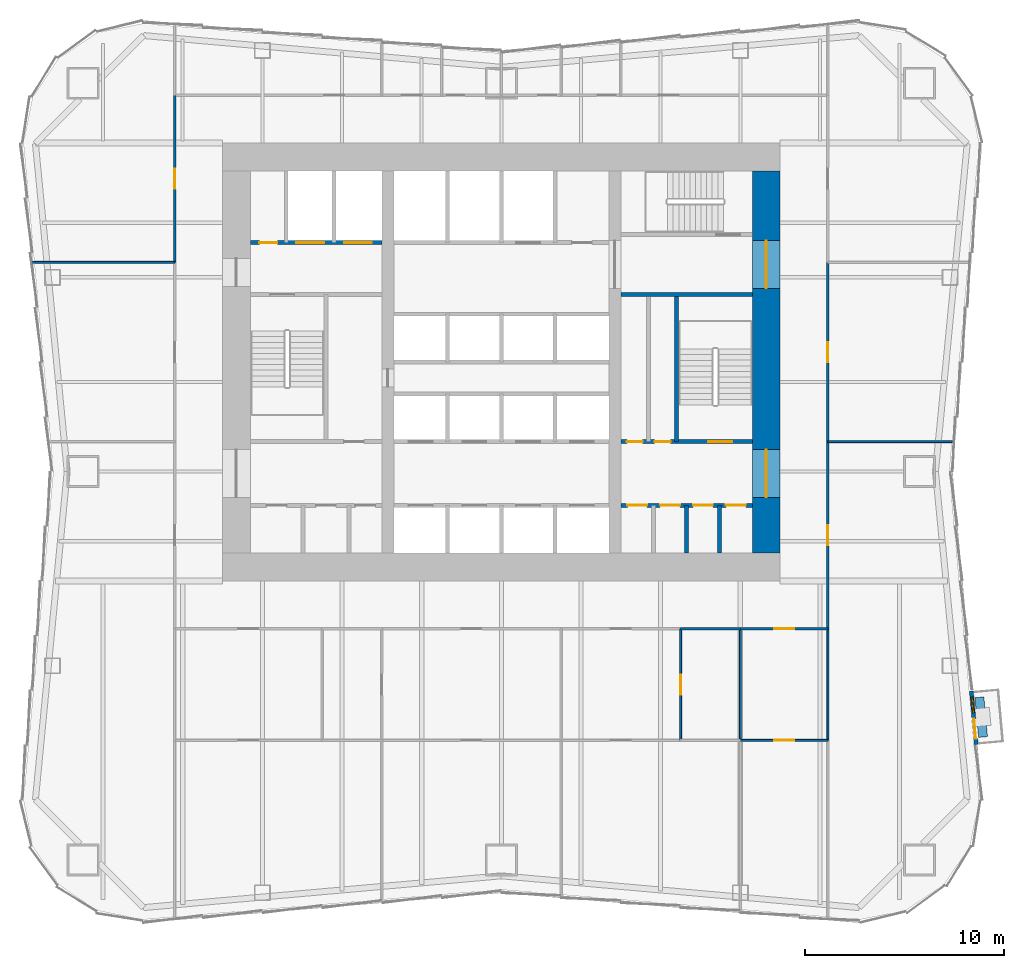
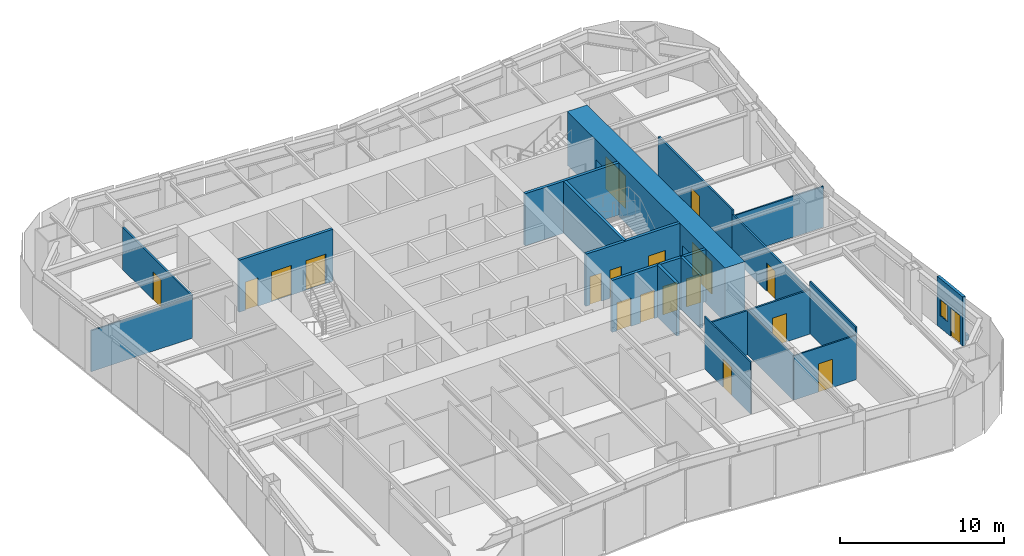
# One storey, part 5 of 8: 21 walls, 19 doors, 1 window, 20 openings.
"""IFC4 building model written with IfcOpenShell, lengths in metres."""

from ifc_helpers import new_model, si_unit, direction, frame, frame_2d, origin, place, context, subcontext, project, spatial, rectangle, extrude, material, layer, layer_set, type_object, element, fill, save


model = new_model("IFC4")

# Units and contexts
model_context = context("Model", 3, precision=1e-05, world=origin(), true_north=direction((0.0, 1.0)))
body_context = subcontext(model_context, "Body", "Model", "MODEL_VIEW")
ifc_project = project(units=[si_unit("LENGTHUNIT", "METRE"), si_unit("AREAUNIT", "SQUARE_METRE"), si_unit("VOLUMEUNIT", "CUBIC_METRE"), si_unit("PLANEANGLEUNIT", "RADIAN"), si_unit("MASSUNIT", "GRAM", prefix="KILO")], contexts=[model_context])

# Site, building, storey
site_placement = place(None, origin())
site = spatial("IfcSite", under=ifc_project, at=site_placement, CompositionType="ELEMENT")
building_placement = place(site_placement, origin())
building = spatial("IfcBuilding", under=site, at=building_placement, Name="Verdant Reach Tower", CompositionType="ELEMENT")
storey_placement = place(building_placement, frame((0.0, 0.0, 42.0)))
storey = spatial("IfcBuildingStorey", under=building, at=storey_placement, Name="L09", CompositionType="ELEMENT", Elevation=42.0)

# Wall, openings, doors
ifc_material_1 = material(Name="Gypsum board on steel studs", Category="steel")
ifc_layer_1 = layer(ifc_material_1, 0.199951171875)
ifc_layer_set_1 = layer_set([ifc_layer_1], Name="CO-WALL-ROOM")
wall_type_1 = type_object("IfcWallType", Name="CO-WALL-ROOM", PredefinedType="PARTITIONING", material=ifc_layer_set_1)
wall_1_placement = place(storey_placement, frame((6.0, 20.800048828125, 0.0), z_axis=(0.0, 0.0, 1.0), x_axis=(1.0, 0.0, 0.0)))
wall_1 = element("IfcWall", 1, at=wall_1_placement, inside=storey, type_object=wall_type_1, Name="Core partition, L09", PredefinedType="PARTITIONING", context=body_context, shape_type="SweptSolid", body=[
    extrude(rectangle(XDim=6.60009765625, YDim=0.199951171875, at=frame_2d((3.300048828125, 0.0))), origin(), (0.0, 0.0, 1.0), 3.8701171875),
])
opening_1_placement = place(wall_1_placement, frame((0.324951171875, 0.0, 0.0)))
opening_1 = element("IfcOpeningElement", 2, at=opening_1_placement, cuts=wall_1, Name="Opening CD", PredefinedType="OPENING", context=body_context, shape_type="SweptSolid", body=[
    extrude(rectangle(XDim=1.0, YDim=2.10009765625, at=frame_2d((0.5, 1.050048828125))), frame((0.0, 0.10986328125, 0.0), z_axis=(0.0, -1.0, 0.0), x_axis=(1.0, 0.0, 0.0)), (0.0, 0.0, 1.0), 0.219970703125),
])
opening_2_placement = place(wall_1_placement, frame((1.97509765625, 0.0, 0.0)))
opening_2 = element("IfcOpeningElement", 3, at=opening_2_placement, cuts=wall_1, Name="Opening CD", PredefinedType="OPENING", context=body_context, shape_type="SweptSolid", body=[
    extrude(rectangle(XDim=1.0, YDim=2.10009765625, at=frame_2d((0.5, 1.050048828125))), frame((0.0, 0.10986328125, 0.0), z_axis=(0.0, -1.0, 0.0), x_axis=(1.0, 0.0, 0.0)), (0.0, 0.0, 1.0), 0.219970703125),
])
opening_3_placement = place(wall_1_placement, frame((3.625, 0.0, 0.0)))
opening_3 = element("IfcOpeningElement", 4, at=opening_3_placement, cuts=wall_1, Name="Opening CD", PredefinedType="OPENING", context=body_context, shape_type="SweptSolid", body=[
    extrude(rectangle(XDim=1.0, YDim=2.10009765625, at=frame_2d((0.5, 1.050048828125))), frame((0.0, 0.10986328125, 0.0), z_axis=(0.0, -1.0, 0.0), x_axis=(1.0, 0.0, 0.0)), (0.0, 0.0, 1.0), 0.219970703125),
])
opening_4_placement = place(wall_1_placement, frame((5.27490234375, 0.0, 0.0)))
opening_4 = element("IfcOpeningElement", 5, at=opening_4_placement, cuts=wall_1, Name="Opening CD", PredefinedType="OPENING", context=body_context, shape_type="SweptSolid", body=[
    extrude(rectangle(XDim=1.0, YDim=2.10009765625, at=frame_2d((0.5, 1.050048828125))), frame((0.0, 0.10986328125, 0.0), z_axis=(0.0, -1.0, 0.0), x_axis=(1.0, 0.0, 0.0)), (0.0, 0.0, 1.0), 0.219970703125),
])
ifc_material_2 = material(Name="Timber", Category="wood")
door_type_1 = type_object("IfcDoorType", Name="CO-DOOR-ROOM", OperationType="NOTDEFINED", PredefinedType="DOOR", material=ifc_material_2)
door_1_placement = place(opening_1_placement, origin())
door_1 = element("IfcDoor", 6, at=door_1_placement, inside=storey, type_object=door_type_1, Name="Core room door, L09", OperationType="SINGLE_SWING_LEFT", OverallHeight=2.10009765625, OverallWidth=1.0, PredefinedType="DOOR", context=body_context, shape_type="SweptSolid", body=[
    extrude(rectangle(XDim=1.0, YDim=2.10009765625, at=frame_2d((0.5, 1.050048828125))), frame((0.0, 0.02490234375, 0.0), z_axis=(0.0, -1.0, 0.0), x_axis=(1.0, 0.0, 0.0)), (0.0, 0.0, 1.0), 0.050048828125),
])
fill(opening_1, door_1)
door_2_placement = place(opening_2_placement, origin())
door_2 = element("IfcDoor", 7, at=door_2_placement, inside=storey, type_object=door_type_1, Name="Core room door, L09", OperationType="SINGLE_SWING_LEFT", OverallHeight=2.10009765625, OverallWidth=1.0, PredefinedType="DOOR", context=body_context, shape_type="SweptSolid", body=[
    extrude(rectangle(XDim=1.0, YDim=2.10009765625, at=frame_2d((0.5, 1.050048828125))), frame((0.0, 0.02490234375, 0.0), z_axis=(0.0, -1.0, 0.0), x_axis=(1.0, 0.0, 0.0)), (0.0, 0.0, 1.0), 0.050048828125),
])
fill(opening_2, door_2)
door_3_placement = place(opening_3_placement, origin())
door_3 = element("IfcDoor", 8, at=door_3_placement, inside=storey, type_object=door_type_1, Name="Core room door, L09", OperationType="SINGLE_SWING_RIGHT", OverallHeight=2.10009765625, OverallWidth=1.0, PredefinedType="DOOR", context=body_context, shape_type="SweptSolid", body=[
    extrude(rectangle(XDim=1.0, YDim=2.10009765625, at=frame_2d((0.5, 1.050048828125))), frame((0.0, 0.02490234375, 0.0), z_axis=(0.0, -1.0, 0.0), x_axis=(1.0, 0.0, 0.0)), (0.0, 0.0, 1.0), 0.050048828125),
])
fill(opening_3, door_3)
door_4_placement = place(opening_4_placement, origin())
door_4 = element("IfcDoor", 9, at=door_4_placement, inside=storey, type_object=door_type_1, Name="Core room door, L09", OperationType="SINGLE_SWING_RIGHT", OverallHeight=2.10009765625, OverallWidth=1.0, PredefinedType="DOOR", context=body_context, shape_type="SweptSolid", body=[
    extrude(rectangle(XDim=1.0, YDim=2.10009765625, at=frame_2d((0.5, 1.050048828125))), frame((0.0, 0.02490234375, 0.0), z_axis=(0.0, -1.0, 0.0), x_axis=(1.0, 0.0, 0.0)), (0.0, 0.0, 1.0), 0.050048828125),
])
fill(opening_4, door_4)

# Walls
for number, where, z_axis, x_axis, name in (
    (10, (9.300048828125, 18.39990234375, 0.0), (0.0, 0.0, 1.0), (0.0, 1.0, 0.0), "Core partition, L09"),
    (11, (10.949951171875, 18.39990234375, 0.0), (0.0, 0.0, 1.0), (0.0, 1.0, 0.0), "Core partition, L09"),
):
    element("IfcWall", number, at=place(storey_placement, frame(where, z_axis=z_axis, x_axis=x_axis)), inside=storey, type_object=wall_type_1, Name=name, PredefinedType="PARTITIONING", context=body_context, shape_type="SweptSolid", body=[
        extrude(rectangle(XDim=2.400146484375, YDim=0.199951171875, at=frame_2d((1.2001953125, 0.0))), origin(), (0.0, 0.0, 1.0), 3.8701171875),
    ])

# Wall, openings, doors
ifc_material_3 = material(Name="Concrete C40/50", Category="concrete")
ifc_layer_2 = layer(ifc_material_3, 0.199951171875)
ifc_layer_set_2 = layer_set([ifc_layer_2], Name="CO-WALL-SHAFT")
wall_type_2 = type_object("IfcWallType", Name="CO-WALL-SHAFT", PredefinedType="PARTITIONING", material=ifc_layer_set_2)
wall_2_placement = place(storey_placement, frame((-12.60009765625, 34.0, 0.0), z_axis=(0.0, 0.0, 1.0), x_axis=(1.0, 0.0, 0.0)))
wall_2 = element("IfcWall", 12, at=wall_2_placement, inside=storey, type_object=wall_type_2, Name="Lift shaft wall, L09", PredefinedType="PARTITIONING", context=body_context, shape_type="SweptSolid", body=[
    extrude(rectangle(XDim=6.60009765625, YDim=0.199951171875, at=frame_2d((3.300048828125, 0.0))), origin(), (0.0, 0.0, 1.0), 3.8701171875),
])
opening_5_placement = place(wall_2_placement, frame((4.699951171875, 0.0, 0.0)))
opening_5 = element("IfcOpeningElement", 13, at=opening_5_placement, cuts=wall_2, Name="Opening LD-F1", PredefinedType="OPENING", context=body_context, shape_type="SweptSolid", body=[
    extrude(rectangle(XDim=1.39990234375, YDim=2.199951171875, at=frame_2d((0.699951171875, 1.10009765625))), frame((0.0, 0.10986328125, 0.0), z_axis=(0.0, -1.0, 0.0), x_axis=(1.0, 0.0, 0.0)), (0.0, 0.0, 1.0), 0.219970703125),
])
opening_6_placement = place(wall_2_placement, frame((2.300048828125, 0.0, 0.0)))
opening_6 = element("IfcOpeningElement", 14, at=opening_6_placement, cuts=wall_2, Name="Opening LD-F2", PredefinedType="OPENING", context=body_context, shape_type="SweptSolid", body=[
    extrude(rectangle(XDim=1.39990234375, YDim=2.199951171875, at=frame_2d((0.699951171875, 1.10009765625))), frame((0.0, 0.10986328125, 0.0), z_axis=(0.0, -1.0, 0.0), x_axis=(1.0, 0.0, 0.0)), (0.0, 0.0, 1.0), 0.219970703125),
])
opening_7_placement = place(wall_2_placement, frame((0.449951171875, 0.0, 0.0)))
opening_7 = element("IfcOpeningElement", 15, at=opening_7_placement, cuts=wall_2, Name="Opening RD", PredefinedType="OPENING", context=body_context, shape_type="SweptSolid", body=[
    extrude(rectangle(XDim=0.89990234375, YDim=2.10009765625, at=frame_2d((0.449951171875, 1.050048828125))), frame((0.0, 0.10986328125, 0.0), z_axis=(0.0, -1.0, 0.0), x_axis=(1.0, 0.0, 0.0)), (0.0, 0.0, 1.0), 0.219970703125),
])
ifc_material_4 = material(Name="Stainless steel", Category="steel")
door_type_2 = type_object("IfcDoorType", Name="CO-DOOR-LANDING-FF", OperationType="SLIDING_TO_LEFT", PredefinedType="DOOR", material=ifc_material_4)
door_5_placement = place(opening_5_placement, origin())
door_5 = element("IfcDoor", 16, at=door_5_placement, inside=storey, type_object=door_type_2, Name="Landing door F1, L09", OperationType="SLIDING_TO_LEFT", OverallHeight=2.199951171875, OverallWidth=1.39990234375, PredefinedType="DOOR", context=body_context, shape_type="SweptSolid", body=[
    extrude(rectangle(XDim=1.39990234375, YDim=2.199951171875, at=frame_2d((0.699951171875, 1.10009765625))), frame((0.0, 0.02490234375, 0.0), z_axis=(0.0, -1.0, 0.0), x_axis=(1.0, 0.0, 0.0)), (0.0, 0.0, 1.0), 0.050048828125),
])
fill(opening_5, door_5)
door_6_placement = place(opening_6_placement, origin())
door_6 = element("IfcDoor", 17, at=door_6_placement, inside=storey, type_object=door_type_2, Name="Landing door F2, L09", OperationType="SLIDING_TO_LEFT", OverallHeight=2.199951171875, OverallWidth=1.39990234375, PredefinedType="DOOR", context=body_context, shape_type="SweptSolid", body=[
    extrude(rectangle(XDim=1.39990234375, YDim=2.199951171875, at=frame_2d((0.699951171875, 1.10009765625))), frame((0.0, 0.02490234375, 0.0), z_axis=(0.0, -1.0, 0.0), x_axis=(1.0, 0.0, 0.0)), (0.0, 0.0, 1.0), 0.050048828125),
])
fill(opening_6, door_6)
ifc_material_5 = material(Name="Steel", Category="steel")
door_type_3 = type_object("IfcDoorType", Name="CO-DOOR-RISER", OperationType="NOTDEFINED", PredefinedType="DOOR", material=ifc_material_5)
door_7_placement = place(opening_7_placement, origin())
door_7 = element("IfcDoor", 18, at=door_7_placement, inside=storey, type_object=door_type_3, Name="Core room door, L09", OperationType="SINGLE_SWING_RIGHT", OverallHeight=2.10009765625, OverallWidth=0.89990234375, PredefinedType="DOOR", context=body_context, shape_type="SweptSolid", body=[
    extrude(rectangle(XDim=0.89990234375, YDim=2.10009765625, at=frame_2d((0.449951171875, 1.050048828125))), frame((0.0, 0.02490234375, 0.0), z_axis=(0.0, -1.0, 0.0), x_axis=(1.0, 0.0, 0.0)), (0.0, 0.0, 1.0), 0.050048828125),
])
fill(opening_7, door_7)

ifc_layer_3 = layer(ifc_material_3, 0.199951171875)
ifc_layer_set_3 = layer_set([ifc_layer_3], Name="CO-WALL-STAIR")
wall_type_3 = type_object("IfcWallType", Name="CO-WALL-STAIR", PredefinedType="PARTITIONING", material=ifc_layer_set_3)
wall_3_placement = place(storey_placement, frame((6.0, 24.0, 0.0), z_axis=(0.0, 0.0, 1.0), x_axis=(1.0, 0.0, 0.0)))
wall_3 = element("IfcWall", 19, at=wall_3_placement, inside=storey, type_object=wall_type_3, Name="Stair enclosure wall, L09", PredefinedType="PARTITIONING", context=body_context, shape_type="SweptSolid", body=[
    extrude(rectangle(XDim=6.60009765625, YDim=0.199951171875, at=frame_2d((3.300048828125, 0.0))), origin(), (0.0, 0.0, 1.0), 3.8701171875),
])
opening_8_placement = place(wall_3_placement, frame((0.300048828125, 0.0, 0.0)))
opening_8 = element("IfcOpeningElement", 20, at=opening_8_placement, cuts=wall_3, Name="Opening CDN", PredefinedType="OPENING", context=body_context, shape_type="SweptSolid", body=[
    extrude(rectangle(XDim=0.800048828125, YDim=2.10009765625, at=frame_2d((0.39990234375, 1.050048828125))), frame((0.0, 0.10986328125, 0.0), z_axis=(0.0, -1.0, 0.0), x_axis=(1.0, 0.0, 0.0)), (0.0, 0.0, 1.0), 0.219970703125),
])
opening_9_placement = place(wall_3_placement, frame((1.699951171875, 0.0, 0.0)))
opening_9 = element("IfcOpeningElement", 21, at=opening_9_placement, cuts=wall_3, Name="Opening CDN", PredefinedType="OPENING", context=body_context, shape_type="SweptSolid", body=[
    extrude(rectangle(XDim=0.800048828125, YDim=2.10009765625, at=frame_2d((0.39990234375, 1.050048828125))), frame((0.0, 0.10986328125, 0.0), z_axis=(0.0, -1.0, 0.0), x_axis=(1.0, 0.0, 0.0)), (0.0, 0.0, 1.0), 0.219970703125),
])
opening_10_placement = place(wall_3_placement, frame((4.39990234375, 0.0, 0.0)))
opening_10 = element("IfcOpeningElement", 22, at=opening_10_placement, cuts=wall_3, Name="Opening SD", PredefinedType="OPENING", context=body_context, shape_type="SweptSolid", body=[
    extrude(rectangle(XDim=1.199951171875, YDim=2.199951171875, at=frame_2d((0.60009765625, 1.10009765625))), frame((0.0, 0.10986328125, 0.0), z_axis=(0.0, -1.0, 0.0), x_axis=(1.0, 0.0, 0.0)), (0.0, 0.0, 1.0), 0.219970703125),
])
door_type_4 = type_object("IfcDoorType", Name="CO-DOOR-ROOM-NARROW", OperationType="NOTDEFINED", PredefinedType="DOOR", material=ifc_material_2)
door_8_placement = place(opening_8_placement, origin())
door_8 = element("IfcDoor", 23, at=door_8_placement, inside=storey, type_object=door_type_4, Name="Core room door, L09", OperationType="SINGLE_SWING_LEFT", OverallHeight=2.10009765625, OverallWidth=0.800048828125, PredefinedType="DOOR", context=body_context, shape_type="SweptSolid", body=[
    extrude(rectangle(XDim=0.800048828125, YDim=2.10009765625, at=frame_2d((0.39990234375, 1.050048828125))), frame((0.0, 0.02490234375, 0.0), z_axis=(0.0, -1.0, 0.0), x_axis=(1.0, 0.0, 0.0)), (0.0, 0.0, 1.0), 0.050048828125),
])
fill(opening_8, door_8)
door_9_placement = place(opening_9_placement, origin())
door_9 = element("IfcDoor", 24, at=door_9_placement, inside=storey, type_object=door_type_4, Name="Core room door, L09", OperationType="SINGLE_SWING_RIGHT", OverallHeight=2.10009765625, OverallWidth=0.800048828125, PredefinedType="DOOR", context=body_context, shape_type="SweptSolid", body=[
    extrude(rectangle(XDim=0.800048828125, YDim=2.10009765625, at=frame_2d((0.39990234375, 1.050048828125))), frame((0.0, 0.02490234375, 0.0), z_axis=(0.0, -1.0, 0.0), x_axis=(1.0, 0.0, 0.0)), (0.0, 0.0, 1.0), 0.050048828125),
])
fill(opening_9, door_9)
door_type_5 = type_object("IfcDoorType", Name="CO-DOOR-STAIR", OperationType="NOTDEFINED", PredefinedType="DOOR", material=ifc_material_5)
door_10_placement = place(opening_10_placement, origin())
door_10 = element("IfcDoor", 25, at=door_10_placement, inside=storey, type_object=door_type_5, Name="Stair door, L09", OperationType="SINGLE_SWING_LEFT", OverallHeight=2.199951171875, OverallWidth=1.199951171875, PredefinedType="DOOR", context=body_context, shape_type="SweptSolid", body=[
    extrude(rectangle(XDim=1.199951171875, YDim=2.199951171875, at=frame_2d((0.60009765625, 1.10009765625))), frame((0.0, 0.02490234375, 0.0), z_axis=(0.0, -1.0, 0.0), x_axis=(1.0, 0.0, 0.0)), (0.0, 0.0, 1.0), 0.050048828125),
])
fill(opening_10, door_10)

# Walls
wall_4_placement = place(storey_placement, frame((6.0, 31.39990234375, 0.0), z_axis=(0.0, 0.0, 1.0), x_axis=(1.0, 0.0, 0.0)))
element("IfcWall", 26, at=wall_4_placement, inside=storey, type_object=wall_type_3, Name="Stair enclosure wall, L09", PredefinedType="PARTITIONING", context=body_context, shape_type="SweptSolid", body=[
    extrude(rectangle(XDim=6.60009765625, YDim=0.199951171875, at=frame_2d((3.300048828125, 0.0))), origin(), (0.0, 0.0, 1.0), 3.8701171875),
])
wall_5_placement = place(storey_placement, frame((8.800048828125, 24.0, 0.0), z_axis=(0.0, 0.0, 1.0), x_axis=(0.0, 1.0, 0.0)))
element("IfcWall", 27, at=wall_5_placement, inside=storey, type_object=wall_type_3, Name="Stair enclosure wall, L09", PredefinedType="PARTITIONING", context=body_context, shape_type="SweptSolid", body=[
    extrude(rectangle(XDim=7.39990234375, YDim=0.199951171875, at=frame_2d((3.699951171875, 0.0))), origin(), (0.0, 0.0, 1.0), 3.8701171875),
])

# Wall, openings, door, window
ifc_material_6 = material(Name="Insulated bronze aluminium panel wall", Category="aluminium")
ifc_layer_4 = layer(ifc_material_6, 0.219970703125)
ifc_layer_set_4 = layer_set([ifc_layer_4], Name="EN-INFILL WALL")
wall_type_4 = type_object("IfcWallType", Name="EN-INFILL WALL", PredefinedType="SOLIDWALL", material=ifc_layer_set_4)
wall_6_placement = place(storey_placement, frame((23.846923828125, 8.788818359375, 0.0), z_axis=(0.0, 0.0, 1.0), x_axis=(-0.090552042494, 0.995891724838, 0.0)))
wall_6 = element("IfcWall", 28, at=wall_6_placement, inside=storey, type_object=wall_type_4, Name="External infill wall, balcony bay 1, L09", PredefinedType="SOLIDWALL", context=body_context, shape_type="SweptSolid", body=[
    extrude(rectangle(XDim=2.701416015625, YDim=0.199951171875, at=frame_2d((1.3505859375, 0.0))), origin(), (0.0, 0.0, 1.0), 3.64990234375),
])
opening_11_placement = place(wall_6_placement, frame((0.30029296875, 0.0, 0.0)))
opening_11 = element("IfcOpeningElement", 29, at=opening_11_placement, cuts=wall_6, Name="Opening BD1", PredefinedType="OPENING", context=body_context, shape_type="SweptSolid", body=[
    extrude(rectangle(XDim=1.0, YDim=2.10009765625, at=frame_2d((0.5, 1.050048828125))), frame((0.0, 0.10986328125, 0.0), z_axis=(0.0, -1.0, 0.0), x_axis=(1.0, 0.0, 0.0)), (0.0, 0.0, 1.0), 0.219970703125),
])
opening_12_placement = place(wall_6_placement, frame((1.600830078125, 0.0, 0.89990234375)))
opening_12 = element("IfcOpeningElement", 30, at=opening_12_placement, cuts=wall_6, Name="Opening BW1", PredefinedType="OPENING", context=body_context, shape_type="SweptSolid", body=[
    extrude(rectangle(XDim=0.800048828125, YDim=1.199951171875, at=frame_2d((0.39990234375, 0.60009765625))), frame((0.0, 0.10986328125, 0.0), z_axis=(0.0, -1.0, 0.0), x_axis=(1.0, 0.0, 0.0)), (0.0, 0.0, 1.0), 0.219970703125),
])
ifc_material_7 = material(Name="Aluminium framed glazed door", Category="aluminium")
door_type_6 = type_object("IfcDoorType", Name="EN-DOOR BALCONY", OperationType="NOTDEFINED", PredefinedType="DOOR", material=ifc_material_7)
door_11_placement = place(opening_11_placement, origin())
door_11 = element("IfcDoor", 31, at=door_11_placement, inside=storey, type_object=door_type_6, Name="Balcony door 1, L09", OperationType="SINGLE_SWING_LEFT", OverallHeight=2.10009765625, OverallWidth=1.0, PredefinedType="DOOR", context=body_context, shape_type="SweptSolid", body=[
    extrude(rectangle(XDim=1.0, YDim=2.10009765625, at=frame_2d((0.5, 1.050048828125))), frame((0.0, 0.02490234375, 0.0), z_axis=(0.0, -1.0, 0.0), x_axis=(1.0, 0.0, 0.0)), (0.0, 0.0, 1.0), 0.050048828125),
])
fill(opening_11, door_11)
ifc_material_8 = material(Name="Aluminium framed glazing", Category="aluminium")
window_type = type_object("IfcWindowType", Name="EN-WINDOW BALCONY", PartitioningType="SINGLE_PANEL", PredefinedType="WINDOW", material=ifc_material_8)
window_placement = place(opening_12_placement, origin())
window = element("IfcWindow", 32, at=window_placement, inside=storey, type_object=window_type, Name="Balcony window 1, L09", OverallHeight=1.199951171875, OverallWidth=0.800048828125, PartitioningType="SINGLE_PANEL", PredefinedType="WINDOW", context=body_context, shape_type="SweptSolid", body=[
    extrude(rectangle(XDim=0.800048828125, YDim=1.199951171875, at=frame_2d((0.39990234375, 0.60009765625))), frame((0.0, 0.030029296875, 0.0), z_axis=(0.0, -1.0, 0.0), x_axis=(1.0, 0.0, 0.0)), (0.0, 0.0, 1.0), 0.06005859375),
])
fill(opening_12, window)

# Wall
ifc_material_9 = material(Name="Precast concrete C30/37", Category="concrete")
ifc_layer_5 = layer(ifc_material_9, 0.449951171875)
ifc_layer_set_5 = layer_set([ifc_layer_5], Name="EN-PLANTER")
wall_type_5 = type_object("IfcWallType", Name="EN-PLANTER", PredefinedType="USERDEFINED", material=ifc_layer_set_5)
wall_7_placement = place(storey_placement, frame((24.188720703125, 9.17138671875, 0.0), z_axis=(0.0, 0.0, 1.0), x_axis=(-0.090513748512, 0.995895205998, 0.0)))
element("IfcWall", 33, at=wall_7_placement, inside=storey, type_object=wall_type_5, Name="Balcony planter 1, L09", ObjectType="PLANTER", PredefinedType="USERDEFINED", context=body_context, shape_type="SweptSolid", body=[
    extrude(rectangle(XDim=2.00146484375, YDim=0.449951171875, at=frame_2d((1.000732421875, 0.0))), origin(), (0.0, 0.0, 1.0), 0.39990234375),
])

# Wall, opening, door
ifc_layer_6 = layer(ifc_material_1, 0.10009765625)
ifc_layer_set_6 = layer_set([ifc_layer_6], Name="FL-W1 Partition 100")
wall_type_6 = type_object("IfcWallType", Name="FL-W1 Partition 100", PredefinedType="PARTITIONING", material=ifc_layer_set_6)
wall_8_placement = place(storey_placement, frame((9.0, 14.60009765625, 0.0), z_axis=(0.0, 0.0, 1.0), x_axis=(0.0, -1.0, 0.0)))
wall_8 = element("IfcWall", 34, at=wall_8_placement, inside=storey, type_object=wall_type_6, Name="Partition 09.29", PredefinedType="PARTITIONING", context=body_context, shape_type="SweptSolid", body=[
    extrude(rectangle(XDim=5.60009765625, YDim=0.10009765625, at=frame_2d((2.800048828125, 0.0))), origin(), (0.0, 0.0, 1.0), 3.8701171875),
])
opening_13_placement = place(wall_8_placement, frame((2.300048828125, 0.0, 0.0)))
opening_13 = element("IfcOpeningElement", 35, at=opening_13_placement, cuts=wall_8, Name="Opening D3", PredefinedType="OPENING", context=body_context, shape_type="SweptSolid", body=[
    extrude(rectangle(XDim=1.0, YDim=2.10009765625, at=frame_2d((0.5, 1.050048828125))), frame((0.0, 0.06005859375, 0.0), z_axis=(0.0, -1.0, 0.0), x_axis=(1.0, 0.0, 0.0)), (0.0, 0.0, 1.0), 0.1201171875),
])
ifc_material_10 = material(Name="Painted timber door leaf", Category="wood")
door_type_7 = type_object("IfcDoorType", Name="FL-D3 Door 1000x2100", OperationType="NOTDEFINED", PredefinedType="DOOR", material=ifc_material_10)
door_12_placement = place(opening_13_placement, origin())
door_12 = element("IfcDoor", 36, at=door_12_placement, inside=storey, type_object=door_type_7, Name="Door 09-020", OperationType="SINGLE_SWING_RIGHT", OverallHeight=2.10009765625, OverallWidth=1.0, PredefinedType="DOOR", context=body_context, shape_type="SweptSolid", body=[
    extrude(rectangle(XDim=1.0, YDim=2.10009765625, at=frame_2d((0.5, 1.050048828125))), frame((0.0, 0.02490234375, 0.0), z_axis=(0.0, -1.0, 0.0), x_axis=(1.0, 0.0, 0.0)), (0.0, 0.0, 1.0), 0.050048828125),
])
fill(opening_13, door_12)

# Wall
wall_9_placement = place(storey_placement, frame((12.0, 9.0, 0.0), z_axis=(0.0, 0.0, 1.0), x_axis=(0.0, 1.0, 0.0)))
element("IfcWall", 37, at=wall_9_placement, inside=storey, type_object=wall_type_6, Name="Partition 09.31", PredefinedType="PARTITIONING", context=body_context, shape_type="SweptSolid", body=[
    extrude(rectangle(XDim=5.60009765625, YDim=0.10009765625, at=frame_2d((2.800048828125, 0.0))), origin(), (0.0, 0.0, 1.0), 3.2900390625),
])

# Wall, opening, door
wall_10_placement = place(storey_placement, frame((16.39990234375, 9.0, 0.0), z_axis=(0.0, 0.0, 1.0), x_axis=(-1.0, 0.0, 0.0)))
wall_10 = element("IfcWall", 38, at=wall_10_placement, inside=storey, type_object=wall_type_6, Name="Partition 09.33", PredefinedType="PARTITIONING", context=body_context, shape_type="SweptSolid", body=[
    extrude(rectangle(XDim=4.39990234375, YDim=0.10009765625, at=frame_2d((2.199951171875, 0.0))), origin(), (0.0, 0.0, 1.0), 3.2900390625),
])
opening_14_placement = place(wall_10_placement, frame((1.699951171875, 0.0, 0.0)))
opening_14 = element("IfcOpeningElement", 39, at=opening_14_placement, cuts=wall_10, Name="Opening D3", PredefinedType="OPENING", context=body_context, shape_type="SweptSolid", body=[
    extrude(rectangle(XDim=1.0, YDim=2.10009765625, at=frame_2d((0.5, 1.050048828125))), frame((0.0, 0.06005859375, 0.0), z_axis=(0.0, -1.0, 0.0), x_axis=(1.0, 0.0, 0.0)), (0.0, 0.0, 1.0), 0.1201171875),
])
door_13_placement = place(opening_14_placement, origin())
door_13 = element("IfcDoor", 40, at=door_13_placement, inside=storey, type_object=door_type_7, Name="Door 09-022", OperationType="SINGLE_SWING_RIGHT", OverallHeight=2.10009765625, OverallWidth=1.0, PredefinedType="DOOR", context=body_context, shape_type="SweptSolid", body=[
    extrude(rectangle(XDim=1.0, YDim=2.10009765625, at=frame_2d((0.5, 1.050048828125))), frame((0.0, 0.02490234375, 0.0), z_axis=(0.0, -1.0, 0.0), x_axis=(1.0, 0.0, 0.0)), (0.0, 0.0, 1.0), 0.050048828125),
])
fill(opening_14, door_13)

# Walls
wall_11_placement = place(storey_placement, frame((16.39990234375, 8.99609375, 0.0), z_axis=(0.0, 0.0, 1.0), x_axis=(0.0, 1.0, 0.0)))
element("IfcWall", 41, at=wall_11_placement, inside=storey, type_object=wall_type_6, Name="Partition 09.34", PredefinedType="PARTITIONING", context=body_context, shape_type="SweptSolid", body=[
    extrude(rectangle(XDim=5.60791015625, YDim=0.10009765625, at=frame_2d((2.803955078125, 0.0))), origin(), (0.0, 0.0, 1.0), 3.8701171875),
])
wall_12_placement = place(storey_placement, frame((-16.39990234375, 33.0, 0.0), z_axis=(0.0, 0.0, 1.0), x_axis=(-1.0, 0.0, 0.0)))
element("IfcWall", 42, at=wall_12_placement, inside=storey, type_object=wall_type_6, Name="Partition 09.45", PredefinedType="PARTITIONING", context=body_context, shape_type="SweptSolid", body=[
    extrude(rectangle(XDim=7.134521484375, YDim=0.10009765625, at=frame_2d((3.5673828125, 0.0))), origin(), (0.0, 0.0, 1.0), 3.0400390625),
])
wall_13_placement = place(storey_placement, frame((22.71630859375, 24.0, 0.0), z_axis=(0.0, 0.0, 1.0), x_axis=(-1.0, 0.0, 0.0)))
element("IfcWall", 43, at=wall_13_placement, inside=storey, type_object=wall_type_6, Name="Partition 09.46", PredefinedType="PARTITIONING", context=body_context, shape_type="SweptSolid", body=[
    extrude(rectangle(XDim=6.31640625, YDim=0.10009765625, at=frame_2d((3.158203125, 0.0))), origin(), (0.0, 0.0, 1.0), 3.0400390625),
])
ifc_material_11 = material(Name="Gypsum board on steel studs, fire rated", Category="steel")
ifc_layer_7 = layer(ifc_material_11, 0.125)
ifc_layer_set_7 = layer_set([ifc_layer_7], Name="FL-W2 Corridor wall 125")
wall_type_7 = type_object("IfcWallType", Name="FL-W2 Corridor wall 125", PredefinedType="PARTITIONING", material=ifc_layer_set_7)
wall_14_placement = place(storey_placement, frame((9.0, 14.60009765625, 0.0), z_axis=(0.0, 0.0, 1.0), x_axis=(1.0, 0.0, 0.0)))
element("IfcWall", 44, at=wall_14_placement, inside=storey, type_object=wall_type_7, Name="Partition 09.05", PredefinedType="PARTITIONING", context=body_context, shape_type="SweptSolid", body=[
    extrude(rectangle(XDim=3.0, YDim=0.125, at=frame_2d((1.5, 0.0))), origin(), (0.0, 0.0, 1.0), 3.2900390625),
])

# Wall, opening, door
wall_15_placement = place(storey_placement, frame((16.39990234375, 14.60009765625, 0.0), z_axis=(0.0, 0.0, 1.0), x_axis=(-1.0, 0.0, 0.0)))
wall_15 = element("IfcWall", 45, at=wall_15_placement, inside=storey, type_object=wall_type_7, Name="Partition 09.06", PredefinedType="PARTITIONING", context=body_context, shape_type="SweptSolid", body=[
    extrude(rectangle(XDim=4.39990234375, YDim=0.125, at=frame_2d((2.199951171875, 0.0))), origin(), (0.0, 0.0, 1.0), 3.2900390625),
])
opening_15_placement = place(wall_15_placement, frame((1.699951171875, 0.0, 0.0)))
opening_15 = element("IfcOpeningElement", 46, at=opening_15_placement, cuts=wall_15, Name="Opening D2", PredefinedType="OPENING", context=body_context, shape_type="SweptSolid", body=[
    extrude(rectangle(XDim=1.0, YDim=2.10009765625, at=frame_2d((0.5, 1.050048828125))), frame((0.0, 0.072509765625, 0.0), z_axis=(0.0, -1.0, 0.0), x_axis=(1.0, 0.0, 0.0)), (0.0, 0.0, 1.0), 0.14501953125),
])
ifc_material_12 = material(Name="Timber door leaf, fire rated", Category="wood")
door_type_8 = type_object("IfcDoorType", Name="FL-D2 Entrance door 1000x2100 FD30", OperationType="NOTDEFINED", PredefinedType="DOOR", material=ifc_material_12)
door_14_placement = place(opening_15_placement, origin())
door_14 = element("IfcDoor", 47, at=door_14_placement, inside=storey, type_object=door_type_8, Name="Door 09-004", OperationType="SINGLE_SWING_RIGHT", OverallHeight=2.10009765625, OverallWidth=1.0, PredefinedType="DOOR", context=body_context, shape_type="SweptSolid", body=[
    extrude(rectangle(XDim=1.0, YDim=2.10009765625, at=frame_2d((0.5, 1.050048828125))), frame((0.0, 0.02490234375, 0.0), z_axis=(0.0, -1.0, 0.0), x_axis=(1.0, 0.0, 0.0)), (0.0, 0.0, 1.0), 0.050048828125),
])
fill(opening_15, door_14)

wall_16_placement = place(storey_placement, frame((-16.39990234375, 33.0, 0.0), z_axis=(0.0, 0.0, 1.0), x_axis=(0.0, 1.0, 0.0)))
wall_16 = element("IfcWall", 48, at=wall_16_placement, inside=storey, type_object=wall_type_7, Name="Partition 09.15", PredefinedType="PARTITIONING", context=body_context, shape_type="SweptSolid", body=[
    extrude(rectangle(XDim=8.404052734375, YDim=0.125, at=frame_2d((4.2021484375, 0.0))), origin(), (0.0, 0.0, 1.0), 3.139892578125),
])
opening_16_placement = place(wall_16_placement, frame((3.701904296875, 0.0, 0.0)))
opening_16 = element("IfcOpeningElement", 49, at=opening_16_placement, cuts=wall_16, Name="Opening D2", PredefinedType="OPENING", context=body_context, shape_type="SweptSolid", body=[
    extrude(rectangle(XDim=1.0, YDim=2.10009765625, at=frame_2d((0.5, 1.050048828125))), frame((0.0, 0.072509765625, 0.0), z_axis=(0.0, -1.0, 0.0), x_axis=(1.0, 0.0, 0.0)), (0.0, 0.0, 1.0), 0.14501953125),
])
door_15_placement = place(opening_16_placement, origin())
door_15 = element("IfcDoor", 50, at=door_15_placement, inside=storey, type_object=door_type_8, Name="Door 09-013", OperationType="SINGLE_SWING_LEFT", OverallHeight=2.10009765625, OverallWidth=1.0, PredefinedType="DOOR", context=body_context, shape_type="SweptSolid", body=[
    extrude(rectangle(XDim=1.0, YDim=2.10009765625, at=frame_2d((0.5, 1.050048828125))), frame((0.0, 0.02490234375, 0.0), z_axis=(0.0, -1.0, 0.0), x_axis=(1.0, 0.0, 0.0)), (0.0, 0.0, 1.0), 0.050048828125),
])
fill(opening_16, door_15)

wall_17_placement = place(storey_placement, frame((16.39990234375, 24.0, 0.0), z_axis=(0.0, 0.0, 1.0), x_axis=(0.0, -1.0, 0.0)))
wall_17 = element("IfcWall", 51, at=wall_17_placement, inside=storey, type_object=wall_type_7, Name="Partition 09.16", PredefinedType="PARTITIONING", context=body_context, shape_type="SweptSolid", body=[
    extrude(rectangle(XDim=9.404052734375, YDim=0.125, at=frame_2d((4.7021484375, 0.0))), origin(), (0.0, 0.0, 1.0), 3.139892578125),
])
opening_17_placement = place(wall_17_placement, frame((4.201904296875, 0.0, 0.0)))
opening_17 = element("IfcOpeningElement", 52, at=opening_17_placement, cuts=wall_17, Name="Opening D2", PredefinedType="OPENING", context=body_context, shape_type="SweptSolid", body=[
    extrude(rectangle(XDim=1.0, YDim=2.10009765625, at=frame_2d((0.5, 1.050048828125))), frame((0.0, 0.072509765625, 0.0), z_axis=(0.0, -1.0, 0.0), x_axis=(1.0, 0.0, 0.0)), (0.0, 0.0, 1.0), 0.14501953125),
])
door_16_placement = place(opening_17_placement, origin())
door_16 = element("IfcDoor", 53, at=door_16_placement, inside=storey, type_object=door_type_8, Name="Door 09-014", OperationType="SINGLE_SWING_RIGHT", OverallHeight=2.10009765625, OverallWidth=1.0, PredefinedType="DOOR", context=body_context, shape_type="SweptSolid", body=[
    extrude(rectangle(XDim=1.0, YDim=2.10009765625, at=frame_2d((0.5, 1.050048828125))), frame((0.0, 0.02490234375, 0.0), z_axis=(0.0, -1.0, 0.0), x_axis=(1.0, 0.0, 0.0)), (0.0, 0.0, 1.0), 0.050048828125),
])
fill(opening_17, door_16)

wall_18_placement = place(storey_placement, frame((16.39990234375, 33.0, 0.0), z_axis=(0.0, 0.0, 1.0), x_axis=(0.0, -1.0, 0.0)))
wall_18 = element("IfcWall", 54, at=wall_18_placement, inside=storey, type_object=wall_type_7, Name="Partition 09.17", PredefinedType="PARTITIONING", context=body_context, shape_type="SweptSolid", body=[
    extrude(rectangle(XDim=9.0, YDim=0.125, at=frame_2d((4.5, 0.0))), origin(), (0.0, 0.0, 1.0), 3.47998046875),
])
opening_18_placement = place(wall_18_placement, frame((4.0, 0.0, 0.0)))
opening_18 = element("IfcOpeningElement", 55, at=opening_18_placement, cuts=wall_18, Name="Opening D2", PredefinedType="OPENING", context=body_context, shape_type="SweptSolid", body=[
    extrude(rectangle(XDim=1.0, YDim=2.10009765625, at=frame_2d((0.5, 1.050048828125))), frame((0.0, 0.072509765625, 0.0), z_axis=(0.0, -1.0, 0.0), x_axis=(1.0, 0.0, 0.0)), (0.0, 0.0, 1.0), 0.14501953125),
])
door_17_placement = place(opening_18_placement, origin())
door_17 = element("IfcDoor", 56, at=door_17_placement, inside=storey, type_object=door_type_8, Name="Door 09-015", OperationType="SINGLE_SWING_LEFT", OverallHeight=2.10009765625, OverallWidth=1.0, PredefinedType="DOOR", context=body_context, shape_type="SweptSolid", body=[
    extrude(rectangle(XDim=1.0, YDim=2.10009765625, at=frame_2d((0.5, 1.050048828125))), frame((0.0, 0.02490234375, 0.0), z_axis=(0.0, -1.0, 0.0), x_axis=(1.0, 0.0, 0.0)), (0.0, 0.0, 1.0), 0.050048828125),
])
fill(opening_18, door_17)

# Wall, openings, doors
ifc_material_13 = material(Name="Concrete C70/85", Category="concrete")
ifc_layer_8 = layer(ifc_material_13, 1.39990234375)
ifc_layer_set_8 = layer_set([ifc_layer_8], Name="ST-CORE-WALL-1400")
wall_type_8 = type_object("IfcWallType", Name="ST-CORE-WALL-1400", PredefinedType="SHEAR", material=ifc_layer_set_8)
wall_19_placement = place(storey_placement, frame((13.300048828125, 18.39990234375, -0.1298828125), z_axis=(0.0, 0.0, 1.0), x_axis=(0.0, 1.0, 0.0)))
wall_19 = element("IfcWall", 57, at=wall_19_placement, inside=storey, type_object=wall_type_8, Name="Core wall E, L09", PredefinedType="SHEAR", context=body_context, shape_type="SweptSolid", body=[
    extrude(rectangle(XDim=19.2001953125, YDim=1.39990234375, at=frame_2d((9.60009765625, 0.0))), origin(), (0.0, 0.0, 1.0), 4.0),
])
opening_19_placement = place(wall_19_placement, frame((2.800048828125, 0.0, 0.1298828125)))
opening_19 = element("IfcOpeningElement", 58, at=opening_19_placement, cuts=wall_19, Name="Opening LB", PredefinedType="OPENING", context=body_context, shape_type="SweptSolid", body=[
    extrude(rectangle(XDim=2.39990234375, YDim=2.39990234375, at=frame_2d((1.199951171875, 1.199951171875))), frame((0.0, 0.7099609375, 0.0), z_axis=(0.0, -1.0, 0.0), x_axis=(1.0, 0.0, 0.0)), (0.0, 0.0, 1.0), 1.419921875),
])
opening_20_placement = place(wall_19_placement, frame((13.300048828125, 0.0, 0.1298828125)))
opening_20 = element("IfcOpeningElement", 59, at=opening_20_placement, cuts=wall_19, Name="Opening LB", PredefinedType="OPENING", context=body_context, shape_type="SweptSolid", body=[
    extrude(rectangle(XDim=2.39990234375, YDim=2.39990234375, at=frame_2d((1.199951171875, 1.199951171875))), frame((0.0, 0.7099609375, 0.0), z_axis=(0.0, -1.0, 0.0), x_axis=(1.0, 0.0, 0.0)), (0.0, 0.0, 1.0), 1.419921875),
])
ifc_material_14 = material(Name="Glass and steel", Category="steel")
door_type_9 = type_object("IfcDoorType", Name="CO-DOOR-LOBBY", OperationType="DOUBLE_DOOR_SINGLE_SWING", PredefinedType="DOOR", material=ifc_material_14)
door_18_placement = place(opening_19_placement, origin())
door_18 = element("IfcDoor", 60, at=door_18_placement, inside=storey, type_object=door_type_9, Name="Core entrance door, L09", OperationType="DOUBLE_DOOR_SINGLE_SWING", OverallHeight=2.39990234375, OverallWidth=2.39990234375, PredefinedType="DOOR", context=body_context, shape_type="SweptSolid", body=[
    extrude(rectangle(XDim=2.39990234375, YDim=2.39990234375, at=frame_2d((1.199951171875, 1.199951171875))), frame((0.0, 0.02490234375, 0.0), z_axis=(0.0, -1.0, 0.0), x_axis=(1.0, 0.0, 0.0)), (0.0, 0.0, 1.0), 0.050048828125),
])
fill(opening_19, door_18)
door_19_placement = place(opening_20_placement, origin())
door_19 = element("IfcDoor", 61, at=door_19_placement, inside=storey, type_object=door_type_9, Name="Core entrance door, L09", OperationType="DOUBLE_DOOR_SINGLE_SWING", OverallHeight=2.39990234375, OverallWidth=2.39990234375, PredefinedType="DOOR", context=body_context, shape_type="SweptSolid", body=[
    extrude(rectangle(XDim=2.39990234375, YDim=2.39990234375, at=frame_2d((1.199951171875, 1.199951171875))), frame((0.0, 0.02490234375, 0.0), z_axis=(0.0, -1.0, 0.0), x_axis=(1.0, 0.0, 0.0)), (0.0, 0.0, 1.0), 0.050048828125),
])
fill(opening_20, door_19)

save(model, "model.ifc")
